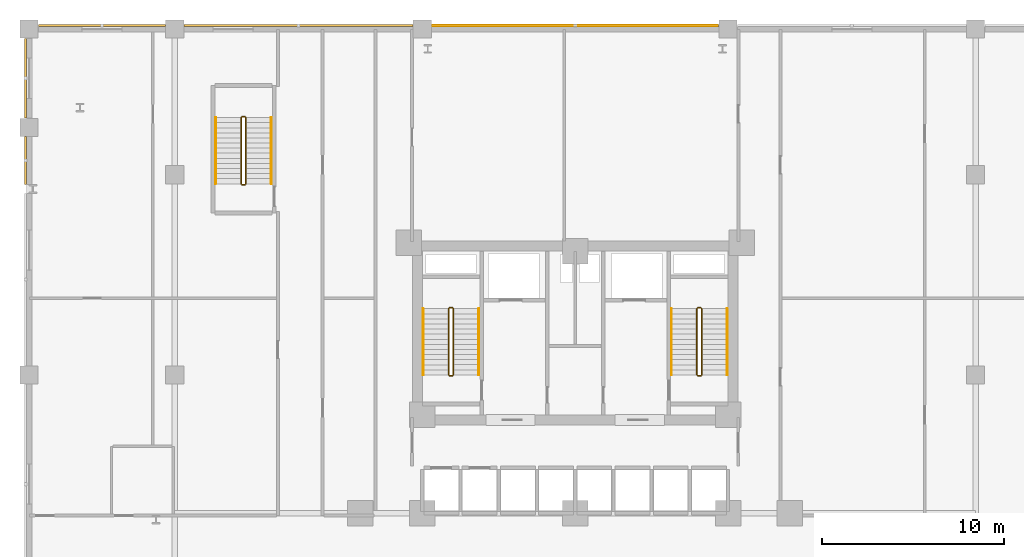
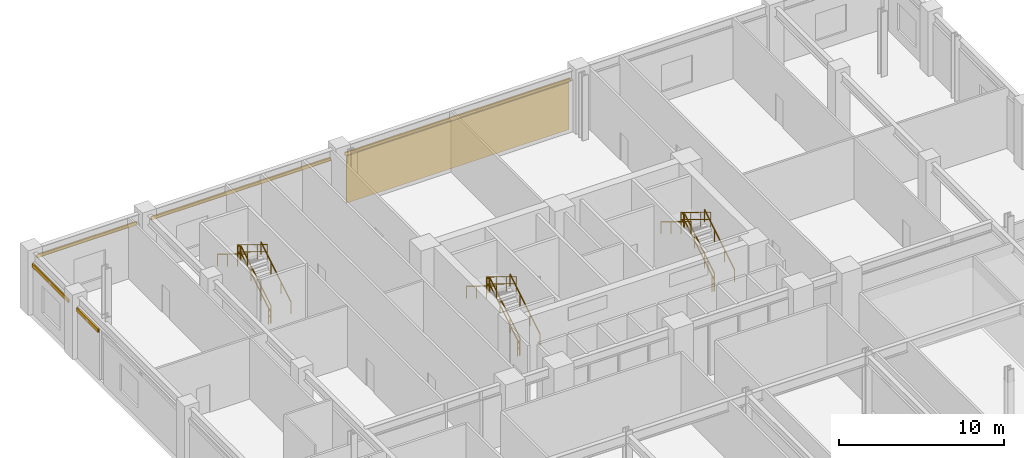
# One storey, part 29 of 34: 18 railings, 5 shading devices, 1 covering.
"""IFC4 building model written with IfcOpenShell, lengths in metres."""

from ifc_helpers import new_model, si_unit, derived_unit, direction, frame, origin, origin_2d, place, context, subcontext, project, spatial, polyline, hollow_rectangle, circle, outline, extrude, source, transform, mapped, material, layer, layer_set, material_profile, profile_set, type_object, element, save


model = new_model("IFC4")

# Units and contexts
model_context = context("Model", 3, precision=1e-05, world=origin(), true_north=direction((0.0, 1.0)))
body_context = subcontext(model_context, "Body", "Model", "MODEL_VIEW")
ifc_project = project(units=[si_unit("LENGTHUNIT", "METRE"), si_unit("AREAUNIT", "SQUARE_METRE"), si_unit("VOLUMEUNIT", "CUBIC_METRE"), si_unit("PLANEANGLEUNIT", "RADIAN"), si_unit("MASSUNIT", "GRAM", prefix="KILO"), derived_unit("THERMALTRANSMITTANCEUNIT", [(si_unit("POWERUNIT", "WATT"), 1), (si_unit("LENGTHUNIT", "METRE"), -2), (si_unit("THERMODYNAMICTEMPERATUREUNIT", "KELVIN"), -1)])], contexts=[model_context])

# Site, building, storey
site_placement = place(None, origin())
site = spatial("IfcSite", under=ifc_project, at=site_placement, CompositionType="ELEMENT")
building_placement = place(site_placement, origin())
building = spatial("IfcBuilding", under=site, at=building_placement, Name="Korsvarv Bourse and Concert Hall", CompositionType="ELEMENT")
storey_placement = place(building_placement, frame((0.0, 0.0, 14.39990234375)))
storey = spatial("IfcBuildingStorey", under=building, at=storey_placement, Name="L03", CompositionType="ELEMENT", Elevation=14.39990234375)

# Covering
ifc_material_1 = material(Name="Warm iron-oxide extruded terracotta rainscreen tile", Category="ceramic")
ifc_layer = layer(ifc_material_1, 0.044921875)
ifc_layer_set = layer_set([ifc_layer], Name="Warm iron-oxide extruded terracotta rainscreen tile")
covering_type = type_object("IfcCoveringType", Name="COV-CLD-TC", PredefinedType="CLADDING", material=ifc_layer_set)
covering_placement = place(storey_placement, origin())
element("IfcCovering", 1, at=covering_placement, inside=storey, type_object=covering_type, Name="L03 fluted terracotta cladding panel EW-L03-N3", PredefinedType="CLADDING", context=body_context, shape_type="SweptSolid", body=[
    extrude(outline(polyline([(28.18505859375, 59.155029296875), (43.81494140625, 59.155029296875), (43.81494140625, 59.199951171875), (28.18505859375, 59.199951171875), (28.18505859375, 59.155029296875)])), origin(), (0.0, 0.0, 1.0), 3.5),
])

# Railings
ifc_material_2 = material(Name="Painted Steel S355 stair well guardrail", Category="steel")
railing_type_1 = type_object("IfcRailingType", Name="RL-ST-GRD", PredefinedType="GUARDRAIL", material=ifc_material_2)
railing_1_placement = place(storey_placement, frame((29.31005859375, 40.0, 0.171630859375)))
element("IfcRailing", 2, at=railing_1_placement, inside=storey, type_object=railing_type_1, Name="L03 ST-T1 stair guard 1", PredefinedType="GUARDRAIL", context=body_context, shape_type="SweptSolid", body=[
    extrude(circle(Radius=0.02392578125, at=origin_2d()), frame((0.0, 0.0, 1.076171875), z_axis=(0.0, 0.852850264322, 0.5221555579), x_axis=(-1.0, 0.0, 0.0)), (0.0, 0.0, 1.0), 4.267822265625),
    extrude(circle(Radius=0.02392578125, at=origin_2d()), frame((0.0, 0.0, 0.550048828125), z_axis=(0.0, 0.852850264322, 0.5221555579), x_axis=(-1.0, 0.0, 0.0)), (0.0, 0.0, 1.0), 4.267822265625),
    extrude(circle(Radius=0.02099609375, at=origin_2d()), origin(), (0.0, 0.0, 1.0), 1.052001953125),
    extrude(circle(Radius=0.02099609375, at=origin_2d()), frame((0.0, 1.21337890625, 0.742919921875)), (0.0, 0.0, 1.0), 1.052001953125),
    extrude(circle(Radius=0.02099609375, at=origin_2d()), frame((0.0, 2.426513671875, 1.485595703125)), (0.0, 0.0, 1.0), 1.052001953125),
    extrude(circle(Radius=0.02099609375, at=origin_2d()), frame((0.0, 3.639892578125, 2.228515625)), (0.0, 0.0, 1.0), 1.052001953125),
])
railing_2_placement = place(storey_placement, frame((29.260009765625, 43.68994140625, 2.400146484375)))
element("IfcRailing", 3, at=railing_2_placement, inside=storey, type_object=railing_type_1, Name="L03 ST-T1 stair guard 2", PredefinedType="GUARDRAIL", context=body_context, shape_type="SweptSolid", body=[
    extrude(circle(Radius=0.02392578125, at=origin_2d()), frame((0.0, 0.0, 1.076171875), z_axis=(-1.0, 0.0, 0.0), x_axis=(0.0, -1.0, 0.0)), (0.0, 0.0, 1.0), 0.159912109375),
    extrude(circle(Radius=0.02392578125, at=origin_2d()), frame((0.0, 0.0, 0.550048828125), z_axis=(-1.0, 0.0, 0.0), x_axis=(0.0, -1.0, 0.0)), (0.0, 0.0, 1.0), 0.159912109375),
    extrude(circle(Radius=0.02099609375, at=origin_2d()), origin(), (0.0, 0.0, 1.0), 1.052001953125),
    extrude(circle(Radius=0.02099609375, at=origin_2d()), frame((-0.159912109375, 0.0, 0.0)), (0.0, 0.0, 1.0), 1.052001953125),
])
railing_3_placement = place(storey_placement, frame((29.050048828125, 43.639892578125, 2.571533203125)))
element("IfcRailing", 4, at=railing_3_placement, inside=storey, type_object=railing_type_1, Name="L03 ST-T1 stair guard 3", PredefinedType="GUARDRAIL", context=body_context, shape_type="SweptSolid", body=[
    extrude(circle(Radius=0.02392578125, at=origin_2d()), frame((0.0, 0.0, 1.076171875), z_axis=(0.0, -0.852850264322, 0.5221555579), x_axis=(1.0, 0.0, 0.0)), (0.0, 0.0, 1.0), 4.267822265625),
    extrude(circle(Radius=0.02392578125, at=origin_2d()), frame((0.0, 0.0, 0.550048828125), z_axis=(0.0, -0.852850264322, 0.5221555579), x_axis=(1.0, 0.0, 0.0)), (0.0, 0.0, 1.0), 4.267822265625),
    extrude(circle(Radius=0.02099609375, at=origin_2d()), origin(), (0.0, 0.0, 1.0), 1.052001953125),
    extrude(circle(Radius=0.02099609375, at=origin_2d()), frame((0.0, -1.21337890625, 0.742919921875)), (0.0, 0.0, 1.0), 1.052001953125),
    extrude(circle(Radius=0.02099609375, at=origin_2d()), frame((0.0, -2.426513671875, 1.485595703125)), (0.0, 0.0, 1.0), 1.052001953125),
    extrude(circle(Radius=0.02099609375, at=origin_2d()), frame((0.0, -3.639892578125, 2.228515625)), (0.0, 0.0, 1.0), 1.052001953125),
])
railing_4_placement = place(storey_placement, frame((29.260009765625, 39.949951171875, 0.0)))
element("IfcRailing", 5, at=railing_4_placement, inside=storey, type_object=railing_type_1, Name="L03 ST-T1 stair guard 4", PredefinedType="GUARDRAIL", context=body_context, shape_type="SweptSolid", body=[
    extrude(circle(Radius=0.02392578125, at=origin_2d()), frame((0.0, 0.0, 1.076171875), z_axis=(-1.0, 0.0, 0.0), x_axis=(0.0, -1.0, 0.0)), (0.0, 0.0, 1.0), 0.159912109375),
    extrude(circle(Radius=0.02392578125, at=origin_2d()), frame((0.0, 0.0, 0.550048828125), z_axis=(-1.0, 0.0, 0.0), x_axis=(0.0, -1.0, 0.0)), (0.0, 0.0, 1.0), 0.159912109375),
    extrude(circle(Radius=0.02099609375, at=origin_2d()), origin(), (0.0, 0.0, 1.0), 1.052001953125),
    extrude(circle(Radius=0.02099609375, at=origin_2d()), frame((-0.159912109375, 0.0, 0.0)), (0.0, 0.0, 1.0), 1.052001953125),
])
railing_5_placement = place(storey_placement, frame((42.949951171875, 40.0, 0.171630859375)))
element("IfcRailing", 6, at=railing_5_placement, inside=storey, type_object=railing_type_1, Name="L03 ST-T2 stair guard 1", PredefinedType="GUARDRAIL", context=body_context, shape_type="SweptSolid", body=[
    extrude(circle(Radius=0.02392578125, at=origin_2d()), frame((0.0, 0.0, 1.076171875), z_axis=(0.0, 0.852850264322, 0.5221555579), x_axis=(-1.0, 0.0, 0.0)), (0.0, 0.0, 1.0), 4.267822265625),
    extrude(circle(Radius=0.02392578125, at=origin_2d()), frame((0.0, 0.0, 0.550048828125), z_axis=(0.0, 0.852850264322, 0.5221555579), x_axis=(-1.0, 0.0, 0.0)), (0.0, 0.0, 1.0), 4.267822265625),
    extrude(circle(Radius=0.02099609375, at=origin_2d()), origin(), (0.0, 0.0, 1.0), 1.052001953125),
    extrude(circle(Radius=0.02099609375, at=origin_2d()), frame((0.0, 1.21337890625, 0.742919921875)), (0.0, 0.0, 1.0), 1.052001953125),
    extrude(circle(Radius=0.02099609375, at=origin_2d()), frame((0.0, 2.426513671875, 1.485595703125)), (0.0, 0.0, 1.0), 1.052001953125),
    extrude(circle(Radius=0.02099609375, at=origin_2d()), frame((0.0, 3.639892578125, 2.228515625)), (0.0, 0.0, 1.0), 1.052001953125),
])
railing_6_placement = place(storey_placement, frame((42.89990234375, 43.68994140625, 2.400146484375)))
element("IfcRailing", 7, at=railing_6_placement, inside=storey, type_object=railing_type_1, Name="L03 ST-T2 stair guard 2", PredefinedType="GUARDRAIL", context=body_context, shape_type="SweptSolid", body=[
    extrude(circle(Radius=0.02392578125, at=origin_2d()), frame((0.0, 0.0, 1.076171875), z_axis=(-1.0, 0.0, 0.0), x_axis=(0.0, -1.0, 0.0)), (0.0, 0.0, 1.0), 0.159912109375),
    extrude(circle(Radius=0.02392578125, at=origin_2d()), frame((0.0, 0.0, 0.550048828125), z_axis=(-1.0, 0.0, 0.0), x_axis=(0.0, -1.0, 0.0)), (0.0, 0.0, 1.0), 0.159912109375),
    extrude(circle(Radius=0.02099609375, at=origin_2d()), origin(), (0.0, 0.0, 1.0), 1.052001953125),
    extrude(circle(Radius=0.02099609375, at=origin_2d()), frame((-0.159912109375, 0.0, 0.0)), (0.0, 0.0, 1.0), 1.052001953125),
])
railing_7_placement = place(storey_placement, frame((42.68994140625, 43.639892578125, 2.571533203125)))
element("IfcRailing", 8, at=railing_7_placement, inside=storey, type_object=railing_type_1, Name="L03 ST-T2 stair guard 3", PredefinedType="GUARDRAIL", context=body_context, shape_type="SweptSolid", body=[
    extrude(circle(Radius=0.02392578125, at=origin_2d()), frame((0.0, 0.0, 1.076171875), z_axis=(0.0, -0.852850264322, 0.5221555579), x_axis=(1.0, 0.0, 0.0)), (0.0, 0.0, 1.0), 4.267822265625),
    extrude(circle(Radius=0.02392578125, at=origin_2d()), frame((0.0, 0.0, 0.550048828125), z_axis=(0.0, -0.852850264322, 0.5221555579), x_axis=(1.0, 0.0, 0.0)), (0.0, 0.0, 1.0), 4.267822265625),
    extrude(circle(Radius=0.02099609375, at=origin_2d()), origin(), (0.0, 0.0, 1.0), 1.052001953125),
    extrude(circle(Radius=0.02099609375, at=origin_2d()), frame((0.0, -1.21337890625, 0.742919921875)), (0.0, 0.0, 1.0), 1.052001953125),
    extrude(circle(Radius=0.02099609375, at=origin_2d()), frame((0.0, -2.426513671875, 1.485595703125)), (0.0, 0.0, 1.0), 1.052001953125),
    extrude(circle(Radius=0.02099609375, at=origin_2d()), frame((0.0, -3.639892578125, 2.228515625)), (0.0, 0.0, 1.0), 1.052001953125),
])
railing_8_placement = place(storey_placement, frame((42.89990234375, 39.949951171875, 0.0)))
element("IfcRailing", 9, at=railing_8_placement, inside=storey, type_object=railing_type_1, Name="L03 ST-T2 stair guard 4", PredefinedType="GUARDRAIL", context=body_context, shape_type="SweptSolid", body=[
    extrude(circle(Radius=0.02392578125, at=origin_2d()), frame((0.0, 0.0, 1.076171875), z_axis=(-1.0, 0.0, 0.0), x_axis=(0.0, -1.0, 0.0)), (0.0, 0.0, 1.0), 0.159912109375),
    extrude(circle(Radius=0.02392578125, at=origin_2d()), frame((0.0, 0.0, 0.550048828125), z_axis=(-1.0, 0.0, 0.0), x_axis=(0.0, -1.0, 0.0)), (0.0, 0.0, 1.0), 0.159912109375),
    extrude(circle(Radius=0.02099609375, at=origin_2d()), origin(), (0.0, 0.0, 1.0), 1.052001953125),
    extrude(circle(Radius=0.02099609375, at=origin_2d()), frame((-0.159912109375, 0.0, 0.0)), (0.0, 0.0, 1.0), 1.052001953125),
])
railing_9_placement = place(storey_placement, frame((17.909912109375, 50.5, 0.171630859375)))
element("IfcRailing", 10, at=railing_9_placement, inside=storey, type_object=railing_type_1, Name="L03 ST-PD1 stair guard 1", PredefinedType="GUARDRAIL", context=body_context, shape_type="SweptSolid", body=[
    extrude(circle(Radius=0.02392578125, at=origin_2d()), frame((0.0, 0.0, 1.076171875), z_axis=(0.0, 0.852850264322, 0.5221555579), x_axis=(-1.0, 0.0, 0.0)), (0.0, 0.0, 1.0), 4.267822265625),
    extrude(circle(Radius=0.02392578125, at=origin_2d()), frame((0.0, 0.0, 0.550048828125), z_axis=(0.0, 0.852850264322, 0.5221555579), x_axis=(-1.0, 0.0, 0.0)), (0.0, 0.0, 1.0), 4.267822265625),
    extrude(circle(Radius=0.02099609375, at=origin_2d()), origin(), (0.0, 0.0, 1.0), 1.052001953125),
    extrude(circle(Radius=0.02099609375, at=origin_2d()), frame((0.0, 1.21337890625, 0.742919921875)), (0.0, 0.0, 1.0), 1.052001953125),
    extrude(circle(Radius=0.02099609375, at=origin_2d()), frame((0.0, 2.426513671875, 1.485595703125)), (0.0, 0.0, 1.0), 1.052001953125),
    extrude(circle(Radius=0.02099609375, at=origin_2d()), frame((0.0, 3.639892578125, 2.228515625)), (0.0, 0.0, 1.0), 1.052001953125),
])
railing_10_placement = place(storey_placement, frame((17.860107421875, 54.18994140625, 2.400146484375)))
element("IfcRailing", 11, at=railing_10_placement, inside=storey, type_object=railing_type_1, Name="L03 ST-PD1 stair guard 2", PredefinedType="GUARDRAIL", context=body_context, shape_type="SweptSolid", body=[
    extrude(circle(Radius=0.02392578125, at=origin_2d()), frame((0.0, 0.0, 1.076171875), z_axis=(-1.0, 0.0, 0.0), x_axis=(0.0, -1.0, 0.0)), (0.0, 0.0, 1.0), 0.16015625),
    extrude(circle(Radius=0.02392578125, at=origin_2d()), frame((0.0, 0.0, 0.550048828125), z_axis=(-1.0, 0.0, 0.0), x_axis=(0.0, -1.0, 0.0)), (0.0, 0.0, 1.0), 0.16015625),
    extrude(circle(Radius=0.02099609375, at=origin_2d()), origin(), (0.0, 0.0, 1.0), 1.052001953125),
    extrude(circle(Radius=0.02099609375, at=origin_2d()), frame((-0.16015625, 0.0, 0.0)), (0.0, 0.0, 1.0), 1.052001953125),
])
railing_11_placement = place(storey_placement, frame((17.64990234375, 54.139892578125, 2.571533203125)))
element("IfcRailing", 12, at=railing_11_placement, inside=storey, type_object=railing_type_1, Name="L03 ST-PD1 stair guard 3", PredefinedType="GUARDRAIL", context=body_context, shape_type="SweptSolid", body=[
    extrude(circle(Radius=0.02392578125, at=origin_2d()), frame((0.0, 0.0, 1.076171875), z_axis=(0.0, -0.852850264322, 0.5221555579), x_axis=(1.0, 0.0, 0.0)), (0.0, 0.0, 1.0), 4.267822265625),
    extrude(circle(Radius=0.02392578125, at=origin_2d()), frame((0.0, 0.0, 0.550048828125), z_axis=(0.0, -0.852850264322, 0.5221555579), x_axis=(1.0, 0.0, 0.0)), (0.0, 0.0, 1.0), 4.267822265625),
    extrude(circle(Radius=0.02099609375, at=origin_2d()), origin(), (0.0, 0.0, 1.0), 1.052001953125),
    extrude(circle(Radius=0.02099609375, at=origin_2d()), frame((0.0, -1.21337890625, 0.742919921875)), (0.0, 0.0, 1.0), 1.052001953125),
    extrude(circle(Radius=0.02099609375, at=origin_2d()), frame((0.0, -2.426513671875, 1.485595703125)), (0.0, 0.0, 1.0), 1.052001953125),
    extrude(circle(Radius=0.02099609375, at=origin_2d()), frame((0.0, -3.639892578125, 2.228515625)), (0.0, 0.0, 1.0), 1.052001953125),
])
railing_12_placement = place(storey_placement, frame((17.860107421875, 50.449951171875, 0.0)))
element("IfcRailing", 13, at=railing_12_placement, inside=storey, type_object=railing_type_1, Name="L03 ST-PD1 stair guard 4", PredefinedType="GUARDRAIL", context=body_context, shape_type="SweptSolid", body=[
    extrude(circle(Radius=0.02392578125, at=origin_2d()), frame((0.0, 0.0, 1.076171875), z_axis=(-1.0, 0.0, 0.0), x_axis=(0.0, -1.0, 0.0)), (0.0, 0.0, 1.0), 0.16015625),
    extrude(circle(Radius=0.02392578125, at=origin_2d()), frame((0.0, 0.0, 0.550048828125), z_axis=(-1.0, 0.0, 0.0), x_axis=(0.0, -1.0, 0.0)), (0.0, 0.0, 1.0), 0.16015625),
    extrude(circle(Radius=0.02099609375, at=origin_2d()), origin(), (0.0, 0.0, 1.0), 1.052001953125),
    extrude(circle(Radius=0.02099609375, at=origin_2d()), frame((-0.16015625, 0.0, 0.0)), (0.0, 0.0, 1.0), 1.052001953125),
])
ifc_material_3 = material(Name="Brushed stainless Steel S355 tubular handrail", Category="steel")
railing_type_2 = type_object("IfcRailingType", Name="RL-ST-HND", PredefinedType="HANDRAIL", material=ifc_material_3)
railing_13_placement = place(storey_placement, frame((30.7099609375, 40.0, 0.171630859375)))
element("IfcRailing", 14, at=railing_13_placement, inside=storey, type_object=railing_type_2, Name="L03 ST-T1 stair handrail 1", PredefinedType="HANDRAIL", context=body_context, shape_type="SweptSolid", body=[
    extrude(circle(Radius=0.02392578125, at=origin_2d()), frame((0.0, 0.0, 0.8759765625), z_axis=(0.0, 0.852850264322, 0.5221555579), x_axis=(-1.0, 0.0, 0.0)), (0.0, 0.0, 1.0), 4.267822265625),
    extrude(circle(Radius=0.02099609375, at=origin_2d()), origin(), (0.0, 0.0, 1.0), 0.851806640625),
    extrude(circle(Radius=0.02099609375, at=origin_2d()), frame((0.0, 1.21337890625, 0.742919921875)), (0.0, 0.0, 1.0), 0.851806640625),
    extrude(circle(Radius=0.02099609375, at=origin_2d()), frame((0.0, 2.426513671875, 1.485595703125)), (0.0, 0.0, 1.0), 0.851806640625),
    extrude(circle(Radius=0.02099609375, at=origin_2d()), frame((0.0, 3.639892578125, 2.228515625)), (0.0, 0.0, 1.0), 0.851806640625),
])
railing_14_placement = place(storey_placement, frame((27.64990234375, 43.639892578125, 2.571533203125)))
element("IfcRailing", 15, at=railing_14_placement, inside=storey, type_object=railing_type_2, Name="L03 ST-T1 stair handrail 2", PredefinedType="HANDRAIL", context=body_context, shape_type="SweptSolid", body=[
    extrude(circle(Radius=0.02392578125, at=origin_2d()), frame((0.0, 0.0, 0.8759765625), z_axis=(0.0, -0.852850264322, 0.5221555579), x_axis=(1.0, 0.0, 0.0)), (0.0, 0.0, 1.0), 4.267822265625),
    extrude(circle(Radius=0.02099609375, at=origin_2d()), origin(), (0.0, 0.0, 1.0), 0.851806640625),
    extrude(circle(Radius=0.02099609375, at=origin_2d()), frame((0.0, -1.21337890625, 0.742919921875)), (0.0, 0.0, 1.0), 0.851806640625),
    extrude(circle(Radius=0.02099609375, at=origin_2d()), frame((0.0, -2.426513671875, 1.485595703125)), (0.0, 0.0, 1.0), 0.851806640625),
    extrude(circle(Radius=0.02099609375, at=origin_2d()), frame((0.0, -3.639892578125, 2.228515625)), (0.0, 0.0, 1.0), 0.851806640625),
])
railing_15_placement = place(storey_placement, frame((44.35009765625, 40.0, 0.171630859375)))
element("IfcRailing", 16, at=railing_15_placement, inside=storey, type_object=railing_type_2, Name="L03 ST-T2 stair handrail 1", PredefinedType="HANDRAIL", context=body_context, shape_type="SweptSolid", body=[
    extrude(circle(Radius=0.02392578125, at=origin_2d()), frame((0.0, 0.0, 0.8759765625), z_axis=(0.0, 0.852850264322, 0.5221555579), x_axis=(-1.0, 0.0, 0.0)), (0.0, 0.0, 1.0), 4.267822265625),
    extrude(circle(Radius=0.02099609375, at=origin_2d()), origin(), (0.0, 0.0, 1.0), 0.851806640625),
    extrude(circle(Radius=0.02099609375, at=origin_2d()), frame((0.0, 1.21337890625, 0.742919921875)), (0.0, 0.0, 1.0), 0.851806640625),
    extrude(circle(Radius=0.02099609375, at=origin_2d()), frame((0.0, 2.426513671875, 1.485595703125)), (0.0, 0.0, 1.0), 0.851806640625),
    extrude(circle(Radius=0.02099609375, at=origin_2d()), frame((0.0, 3.639892578125, 2.228515625)), (0.0, 0.0, 1.0), 0.851806640625),
])
railing_16_placement = place(storey_placement, frame((41.2900390625, 43.639892578125, 2.571533203125)))
element("IfcRailing", 17, at=railing_16_placement, inside=storey, type_object=railing_type_2, Name="L03 ST-T2 stair handrail 2", PredefinedType="HANDRAIL", context=body_context, shape_type="SweptSolid", body=[
    extrude(circle(Radius=0.02392578125, at=origin_2d()), frame((0.0, 0.0, 0.8759765625), z_axis=(0.0, -0.852850264322, 0.5221555579), x_axis=(1.0, 0.0, 0.0)), (0.0, 0.0, 1.0), 4.267822265625),
    extrude(circle(Radius=0.02099609375, at=origin_2d()), origin(), (0.0, 0.0, 1.0), 0.851806640625),
    extrude(circle(Radius=0.02099609375, at=origin_2d()), frame((0.0, -1.21337890625, 0.742919921875)), (0.0, 0.0, 1.0), 0.851806640625),
    extrude(circle(Radius=0.02099609375, at=origin_2d()), frame((0.0, -2.426513671875, 1.485595703125)), (0.0, 0.0, 1.0), 0.851806640625),
    extrude(circle(Radius=0.02099609375, at=origin_2d()), frame((0.0, -3.639892578125, 2.228515625)), (0.0, 0.0, 1.0), 0.851806640625),
])
railing_17_placement = place(storey_placement, frame((19.31005859375, 50.5, 0.171630859375)))
element("IfcRailing", 18, at=railing_17_placement, inside=storey, type_object=railing_type_2, Name="L03 ST-PD1 stair handrail 1", PredefinedType="HANDRAIL", context=body_context, shape_type="SweptSolid", body=[
    extrude(circle(Radius=0.02392578125, at=origin_2d()), frame((0.0, 0.0, 0.8759765625), z_axis=(0.0, 0.852850264322, 0.5221555579), x_axis=(-1.0, 0.0, 0.0)), (0.0, 0.0, 1.0), 4.267822265625),
    extrude(circle(Radius=0.02099609375, at=origin_2d()), origin(), (0.0, 0.0, 1.0), 0.851806640625),
    extrude(circle(Radius=0.02099609375, at=origin_2d()), frame((0.0, 1.21337890625, 0.742919921875)), (0.0, 0.0, 1.0), 0.851806640625),
    extrude(circle(Radius=0.02099609375, at=origin_2d()), frame((0.0, 2.426513671875, 1.485595703125)), (0.0, 0.0, 1.0), 0.851806640625),
    extrude(circle(Radius=0.02099609375, at=origin_2d()), frame((0.0, 3.639892578125, 2.228515625)), (0.0, 0.0, 1.0), 0.851806640625),
])
railing_18_placement = place(storey_placement, frame((16.25, 54.139892578125, 2.571533203125)))
element("IfcRailing", 19, at=railing_18_placement, inside=storey, type_object=railing_type_2, Name="L03 ST-PD1 stair handrail 2", PredefinedType="HANDRAIL", context=body_context, shape_type="SweptSolid", body=[
    extrude(circle(Radius=0.02392578125, at=origin_2d()), frame((0.0, 0.0, 0.8759765625), z_axis=(0.0, -0.852850264322, 0.5221555579), x_axis=(1.0, 0.0, 0.0)), (0.0, 0.0, 1.0), 4.267822265625),
    extrude(circle(Radius=0.02099609375, at=origin_2d()), origin(), (0.0, 0.0, 1.0), 0.851806640625),
    extrude(circle(Radius=0.02099609375, at=origin_2d()), frame((0.0, -1.21337890625, 0.742919921875)), (0.0, 0.0, 1.0), 0.851806640625),
    extrude(circle(Radius=0.02099609375, at=origin_2d()), frame((0.0, -2.426513671875, 1.485595703125)), (0.0, 0.0, 1.0), 0.851806640625),
    extrude(circle(Radius=0.02099609375, at=origin_2d()), frame((0.0, -3.639892578125, 2.228515625)), (0.0, 0.0, 1.0), 0.851806640625),
])

# Shading devices
ifc_material_4 = material(Name="Glazed extruded architectural terracotta", Category="ceramic")
ifc_material_profile = material_profile(ifc_material_4, hollow_rectangle(XDim=0.090087890625, YDim=0.260009765625, WallThickness=0.011962890625, at=origin_2d()), Name="TC-BAG 90x260")
ifc_profile_set = profile_set([ifc_material_profile], Name="Glazed extruded architectural terracotta")
shading_device_type = type_object("IfcShadingDeviceType", Name="SHD-BAG-1", PredefinedType="USERDEFINED", material=ifc_profile_set)
shared_shape_1 = source(origin(), body_context, "Body", "SweptSolid", [
    extrude(hollow_rectangle(XDim=0.090087890625, YDim=0.260009765625, WallThickness=0.011962890625, at=origin_2d()), origin(), (0.0, 0.0, 1.0), 12.590087890625),
])
shading_device_1_placement = place(storey_placement, frame((14.5048828125, 59.195068359375, 3.66015625), z_axis=(1.0, 0.0, 0.0), x_axis=(0.0, 1.0, 0.0)))
element("IfcShadingDevice", 20, at=shading_device_1_placement, inside=storey, type_object=shading_device_type, Name="L03 terracotta baguette sunshade EW-L03-N2", ObjectType="BAGUETTE", PredefinedType="USERDEFINED", context=body_context, shape_type="MappedRepresentation", body=[
    mapped(shared_shape_1, transform((0.0, 0.0, 0.0), scale=1.0)),
])
shared_shape_2 = source(origin(), body_context, "Body", "SweptSolid", [
    extrude(hollow_rectangle(XDim=0.090087890625, YDim=0.260009765625, WallThickness=0.011962890625, at=origin_2d()), origin(), (0.0, 0.0, 1.0), 6.990234375),
])
shading_device_2_placement = place(storey_placement, frame((6.5048828125, 59.195068359375, 3.66015625), z_axis=(1.0, 0.0, 0.0), x_axis=(0.0, 1.0, 0.0)))
element("IfcShadingDevice", 21, at=shading_device_2_placement, inside=storey, type_object=shading_device_type, Name="L03 terracotta baguette sunshade EW-L03-N1", ObjectType="BAGUETTE", PredefinedType="USERDEFINED", context=body_context, shape_type="MappedRepresentation", body=[
    mapped(shared_shape_2, transform((0.0, 0.0, 0.0), scale=1.0)),
])
shared_shape_3 = source(origin(), body_context, "Body", "SweptSolid", [
    extrude(hollow_rectangle(XDim=0.090087890625, YDim=0.260009765625, WallThickness=0.011962890625, at=origin_2d()), origin(), (0.0, 0.0, 1.0), 15.7900390625),
])
shading_device_3_placement = place(storey_placement, frame((28.10498046875, 59.195068359375, 3.66015625), z_axis=(1.0, 0.0, 0.0), x_axis=(0.0, 1.0, 0.0)))
element("IfcShadingDevice", 22, at=shading_device_3_placement, inside=storey, type_object=shading_device_type, Name="L03 terracotta baguette sunshade EW-L03-N3", ObjectType="BAGUETTE", PredefinedType="USERDEFINED", context=body_context, shape_type="MappedRepresentation", body=[
    mapped(shared_shape_3, transform((0.0, 0.0, 0.0), scale=1.0)),
])
shared_shape_4 = source(origin(), body_context, "Body", "SweptSolid", [
    extrude(hollow_rectangle(XDim=0.090087890625, YDim=0.260009765625, WallThickness=0.011962890625, at=origin_2d()), origin(), (0.0, 0.0, 1.0), 2.6357421875),
])
shading_device_4_placement = place(storey_placement, frame((5.804931640625, 50.459228515625, 3.66015625), z_axis=(0.0, 1.0, 0.0), x_axis=(-1.0, 0.0, 0.0)))
element("IfcShadingDevice", 23, at=shading_device_4_placement, inside=storey, type_object=shading_device_type, Name="L03 terracotta baguette sunshade EW-L03-W4-2", ObjectType="BAGUETTE", PredefinedType="USERDEFINED", context=body_context, shape_type="MappedRepresentation", body=[
    mapped(shared_shape_4, transform((0.0, 0.0, 0.0), scale=1.0)),
])
shared_shape_5 = source(origin(), body_context, "Body", "SweptSolid", [
    extrude(hollow_rectangle(XDim=0.090087890625, YDim=0.260009765625, WallThickness=0.011962890625, at=origin_2d()), origin(), (0.0, 0.0, 1.0), 4.39013671875),
])
shading_device_5_placement = place(storey_placement, frame((5.804931640625, 54.10498046875, 3.66015625), z_axis=(0.0, 1.0, 0.0), x_axis=(-1.0, 0.0, 0.0)))
element("IfcShadingDevice", 24, at=shading_device_5_placement, inside=storey, type_object=shading_device_type, Name="L03 terracotta baguette sunshade EW-L03-W5", ObjectType="BAGUETTE", PredefinedType="USERDEFINED", context=body_context, shape_type="MappedRepresentation", body=[
    mapped(shared_shape_5, transform((0.0, 0.0, 0.0), scale=1.0)),
])

save(model, "model.ifc")
